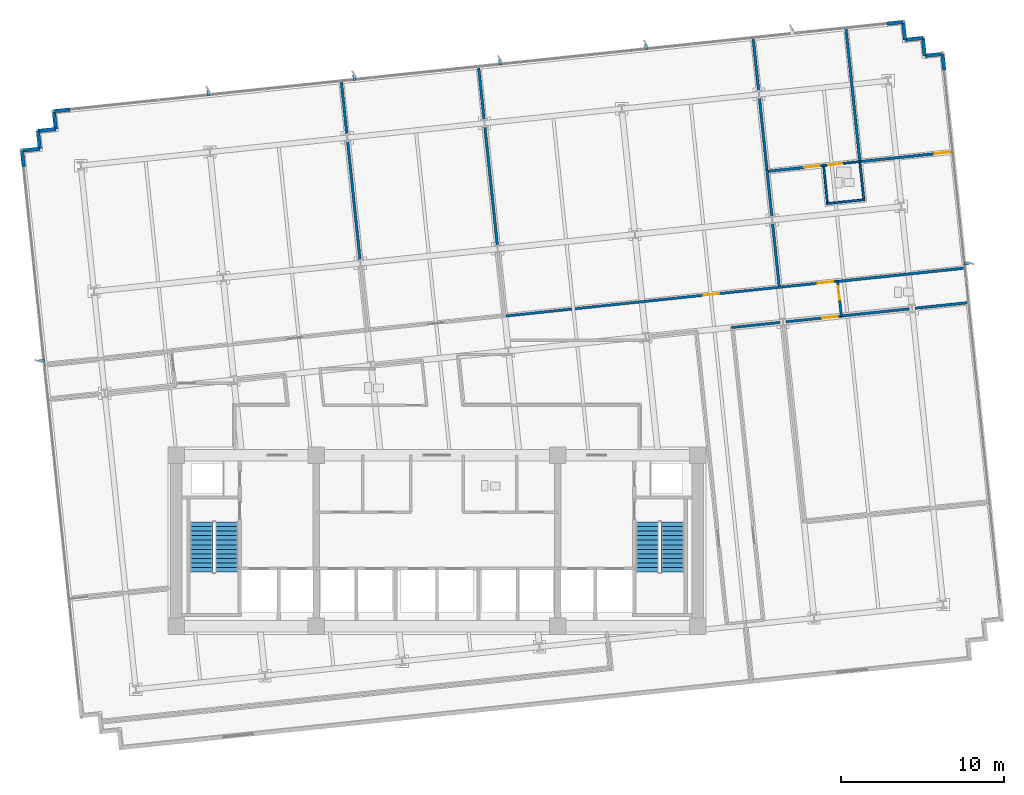
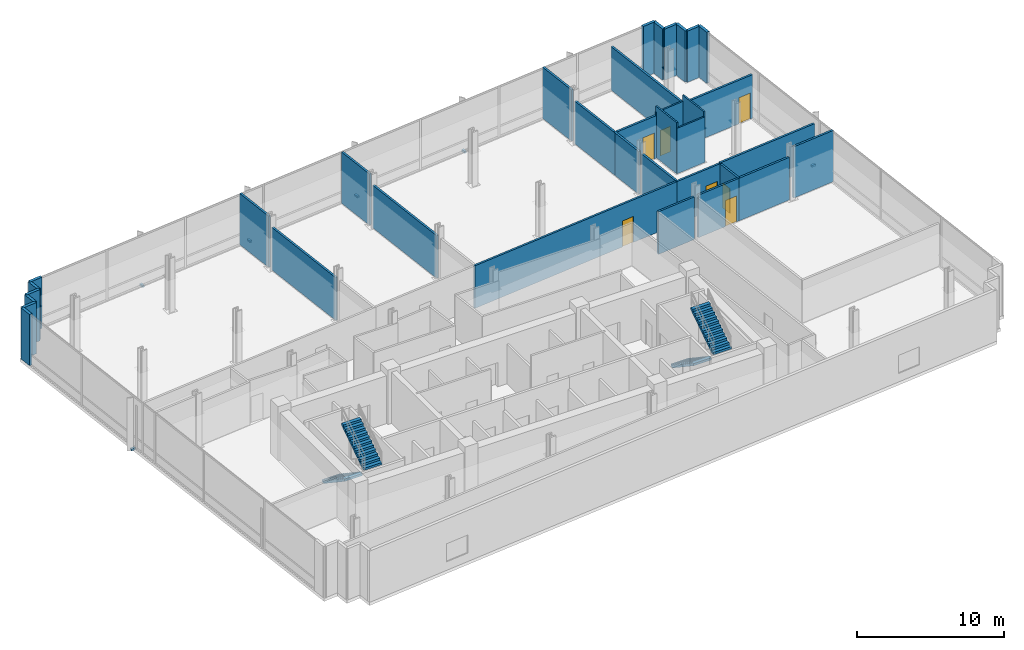
# One storey, part 14 of 20: 35 walls, 7 doors, 6 discrete accessories, 4 stair flights, 7 openings, 2 elements without a shape of their own.
"""IFC4 building model written with IfcOpenShell, lengths in metres."""

from ifc_helpers import new_model, si_unit, direction, frame, frame_2d, origin, origin_2d, place, context, subcontext, project, spatial, polyline, rectangle, outline, extrude, material, layer, layer_set, type_object, element, fill, aggregate, save


model = new_model("IFC4")

# Units and contexts
model_context = context("Model", 3, precision=1e-05, world=origin(), true_north=direction((0.0, 1.0)))
body_context = subcontext(model_context, "Body", "Model", "MODEL_VIEW")
ifc_project = project(units=[si_unit("LENGTHUNIT", "METRE"), si_unit("AREAUNIT", "SQUARE_METRE"), si_unit("VOLUMEUNIT", "CUBIC_METRE"), si_unit("PLANEANGLEUNIT", "RADIAN"), si_unit("MASSUNIT", "GRAM", prefix="KILO")], contexts=[model_context])

# Site, building, storey
site_placement = place(None, origin())
site = spatial("IfcSite", under=ifc_project, at=site_placement, CompositionType="ELEMENT")
building_placement = place(site_placement, origin())
building = spatial("IfcBuilding", under=site, at=building_placement, Name="Solmavex Isthmus Hotel", CompositionType="ELEMENT")
storey_placement = place(building_placement, frame((0.0, 0.0, 97.35009765625)))
storey = spatial("IfcBuildingStorey", under=building, at=storey_placement, Name="L26", CompositionType="ELEMENT", Elevation=97.35009765625)

# Walls
ifc_material_1 = material(Name="Precast Concrete C40/50", Category="concrete")
ifc_layer_1 = layer(ifc_material_1, 0.25)
ifc_layer_set_1 = layer_set([ifc_layer_1], Name="Precast Concrete C40/50")
wall_type_1 = type_object("IfcWallType", Name="EW-TWR-250", PredefinedType="STANDARD", material=ifc_layer_set_1)
wall_1_placement = place(storey_placement, frame((-25.35400390625, 15.1923828125, 0.0), z_axis=(0.0, 0.0, 1.0), x_axis=(-0.104556418955, 0.99451895671, 0.0)))
element("IfcWall", 1, at=wall_1_placement, inside=storey, type_object=wall_type_1, Name="Serrated Corner Facade Panel L26-07", PredefinedType="STANDARD", context=body_context, shape_type="SweptSolid", body=[
    extrude(rectangle(XDim=0.989990234375, YDim=0.219970703125, at=frame_2d((0.4951171875, 0.0))), origin(), (0.0, 0.0, 1.0), 4.239990234375),
])
wall_2_placement = place(storey_placement, frame((-25.45751953125, 16.177001953125, 0.0), z_axis=(0.0, 0.0, 1.0), x_axis=(0.994521251134, 0.104534592565, 0.0)))
element("IfcWall", 2, at=wall_2_placement, inside=storey, type_object=wall_type_1, Name="Serrated Corner Facade Panel L26-08", PredefinedType="STANDARD", context=body_context, shape_type="SweptSolid", body=[
    extrude(rectangle(XDim=1.10009765625, YDim=0.219970703125, at=frame_2d((0.550048828125, 0.0))), origin(), (0.0, 0.0, 1.0), 4.239990234375),
])
wall_3_placement = place(storey_placement, frame((-24.363525390625, 16.2919921875, 0.0), z_axis=(0.0, 0.0, 1.0), x_axis=(-0.104557671117, 0.994518825066, 0.0)))
element("IfcWall", 3, at=wall_3_placement, inside=storey, type_object=wall_type_1, Name="Serrated Corner Facade Panel L26-09", PredefinedType="STANDARD", context=body_context, shape_type="SweptSolid", body=[
    extrude(rectangle(XDim=1.099853515625, YDim=0.219970703125, at=frame_2d((0.5498046875, 0.0))), origin(), (0.0, 0.0, 1.0), 4.239990234375),
])
for number, where, z_axis, x_axis, name in (
    (4, (-24.478515625, 17.3857421875, 0.0), (0.0, 0.0, 1.0), (0.994521251134, 0.104534592565, 0.0), "Serrated Corner Facade Panel L26-10"),
    (5, (-23.384521484375, 17.500732421875, 0.0), (0.0, 0.0, 1.0), (-0.104534592565, 0.994521251134, 0.0), "Serrated Corner Facade Panel L26-11"),
):
    element("IfcWall", number, at=place(storey_placement, frame(where, z_axis=z_axis, x_axis=x_axis)), inside=storey, type_object=wall_type_1, Name=name, PredefinedType="STANDARD", context=body_context, shape_type="SweptSolid", body=[
        extrude(rectangle(XDim=1.10009765625, YDim=0.219970703125, at=frame_2d((0.550048828125, 0.0))), origin(), (0.0, 0.0, 1.0), 4.239990234375),
    ])
wall_4_placement = place(storey_placement, frame((-23.49951171875, 18.5947265625, 0.0), z_axis=(0.0, 0.0, 1.0), x_axis=(0.99451895671, 0.104556418955, 0.0)))
element("IfcWall", 6, at=wall_4_placement, inside=storey, type_object=wall_type_1, Name="Serrated Corner Facade Panel L26-12", PredefinedType="STANDARD", context=body_context, shape_type="SweptSolid", body=[
    extrude(rectangle(XDim=0.989990234375, YDim=0.219970703125, at=frame_2d((0.4951171875, 0.0))), origin(), (0.0, 0.0, 1.0), 4.239990234375),
])
wall_5_placement = place(storey_placement, frame((27.609130859375, 23.966552734375, 0.0), z_axis=(0.0, 0.0, 1.0), x_axis=(0.994516259927, 0.104582067016, 0.0)))
element("IfcWall", 7, at=wall_5_placement, inside=storey, type_object=wall_type_1, Name="Serrated Corner Facade Panel L26-14", PredefinedType="STANDARD", context=body_context, shape_type="SweptSolid", body=[
    extrude(rectangle(XDim=0.98974609375, YDim=0.219970703125, at=frame_2d((0.494873046875, 0.0))), origin(), (0.0, 0.0, 1.0), 4.239990234375),
])
for number, where, z_axis, x_axis, name in (
    (8, (28.593505859375, 24.070068359375, 0.0), (0.0, 0.0, 1.0), (0.104534592565, -0.994521251134, 0.0), "Serrated Corner Facade Panel L26-15"),
    (9, (28.70849609375, 22.97607421875, 0.0), (0.0, 0.0, 1.0), (0.994521251134, 0.104534592565, 0.0), "Serrated Corner Facade Panel L26-16"),
    (10, (29.802490234375, 23.091064453125, 0.0), (0.0, 0.0, 1.0), (0.104534592565, -0.994521251134, 0.0), "Serrated Corner Facade Panel L26-17"),
    (11, (29.91748046875, 21.9970703125, 0.0), (0.0, 0.0, 1.0), (0.994521251134, 0.104534592565, 0.0), "Serrated Corner Facade Panel L26-18"),
):
    element("IfcWall", number, at=place(storey_placement, frame(where, z_axis=z_axis, x_axis=x_axis)), inside=storey, type_object=wall_type_1, Name=name, PredefinedType="STANDARD", context=body_context, shape_type="SweptSolid", body=[
        extrude(rectangle(XDim=1.10009765625, YDim=0.219970703125, at=frame_2d((0.550048828125, 0.0))), origin(), (0.0, 0.0, 1.0), 4.239990234375),
    ])
wall_6_placement = place(storey_placement, frame((31.011474609375, 22.112060546875, 0.0), z_axis=(0.0, 0.0, 1.0), x_axis=(0.104556418955, -0.99451895671, 0.0)))
element("IfcWall", 12, at=wall_6_placement, inside=storey, type_object=wall_type_1, Name="Serrated Corner Facade Panel L26-19", PredefinedType="STANDARD", context=body_context, shape_type="SweptSolid", body=[
    extrude(rectangle(XDim=0.989990234375, YDim=0.219970703125, at=frame_2d((0.4951171875, 0.0))), origin(), (0.0, 0.0, 1.0), 4.239990234375),
])
ifc_material_2 = material(Name="Gypsum plasterboard lining", Category="gypsum")
ifc_layer_2 = layer(ifc_material_2, 0.159912109375)
ifc_layer_set_2 = layer_set([ifc_layer_2], Name="Gypsum plasterboard lining")
wall_type_2 = type_object("IfcWallType", Name="IW-COMP-160", PredefinedType="PARTITIONING", material=ifc_layer_set_2)
wall_7_placement = place(storey_placement, frame((-5.875732421875, 20.477294921875, 0.0), z_axis=(0.0, 0.0, 1.0), x_axis=(0.10455555946, -0.99451904707, 0.0)))
element("IfcWall", 13, at=wall_7_placement, inside=storey, type_object=wall_type_2, Name="Interior Partition Wall W-L26-P029", PredefinedType="PARTITIONING", context=body_context, shape_type="SweptSolid", body=[
    extrude(rectangle(XDim=3.34375, YDim=0.159912109375, at=frame_2d((1.671875, 0.0))), origin(), (0.0, 0.0, 1.0), 4.239990234375),
])
wall_8_placement = place(storey_placement, frame((-5.4892578125, 16.80126953125, 0.0), z_axis=(0.0, 0.0, 1.0), x_axis=(0.104526770886, -0.994522073243, 0.0)))
element("IfcWall", 14, at=wall_8_placement, inside=storey, type_object=wall_type_2, Name="Interior Partition Wall W-L26-P030", PredefinedType="PARTITIONING", context=body_context, shape_type="SweptSolid", body=[
    extrude(rectangle(XDim=7.3994140625, YDim=0.159912109375, at=frame_2d((3.69970703125, 0.0))), origin(), (0.0, 0.0, 1.0), 3.529296875),
])
wall_9_placement = place(storey_placement, frame((2.556396484375, 21.242919921875, 0.0), z_axis=(0.0, 0.0, 1.0), x_axis=(0.104586228345, -0.994515822318, 0.0)))
element("IfcWall", 15, at=wall_9_placement, inside=storey, type_object=wall_type_2, Name="Interior Partition Wall W-L26-P033", PredefinedType="PARTITIONING", context=body_context, shape_type="SweptSolid", body=[
    extrude(rectangle(XDim=3.2236328125, YDim=0.159912109375, at=frame_2d((1.61181640625, 0.0))), origin(), (0.0, 0.0, 1.0), 4.239990234375),
])
wall_10_placement = place(storey_placement, frame((2.93017578125, 17.686279296875, 0.0), z_axis=(0.0, 0.0, 1.0), x_axis=(0.104555973927, -0.994519003497, 0.0)))
element("IfcWall", 16, at=wall_10_placement, inside=storey, type_object=wall_type_2, Name="Interior Partition Wall W-L26-P034", PredefinedType="PARTITIONING", context=body_context, shape_type="SweptSolid", body=[
    extrude(rectangle(XDim=7.399658203125, YDim=0.159912109375, at=frame_2d((3.69970703125, 0.0))), origin(), (0.0, 0.0, 1.0), 3.529296875),
])
wall_11_placement = place(storey_placement, frame((20.2392578125, 14.987060546875, 0.0), z_axis=(0.0, 0.0, 1.0), x_axis=(0.104518588235, -0.994522933226, 0.0)))
element("IfcWall", 17, at=wall_11_placement, inside=storey, type_object=wall_type_2, Name="Interior Partition Wall W-L26-P036", PredefinedType="PARTITIONING", context=body_context, shape_type="SweptSolid", body=[
    extrude(rectangle(XDim=2.90576171875, YDim=0.159912109375, at=frame_2d((1.452880859375, 0.0))), origin(), (0.0, 0.0, 1.0), 3.529296875),
])
wall_12_placement = place(storey_placement, frame((20.579833984375, 11.74658203125, 0.0), z_axis=(0.0, 0.0, 1.0), x_axis=(0.104551732594, -0.994519449388, 0.0)))
element("IfcWall", 18, at=wall_12_placement, inside=storey, type_object=wall_type_2, Name="Interior Partition Wall W-L26-P037", PredefinedType="PARTITIONING", context=body_context, shape_type="SweptSolid", body=[
    extrude(rectangle(XDim=4.01171875, YDim=0.159912109375, at=frame_2d((2.005859375, 0.0))), origin(), (0.0, 0.0, 1.0), 3.529296875),
])
wall_13_placement = place(storey_placement, frame((19.383056640625, 23.132080078125, 0.0), z_axis=(0.0, 0.0, 1.0), x_axis=(0.10455555946, -0.99451904707, 0.0)))
element("IfcWall", 19, at=wall_13_placement, inside=storey, type_object=wall_type_2, Name="Interior Partition Wall W-L26-P038", PredefinedType="PARTITIONING", context=body_context, shape_type="SweptSolid", body=[
    extrude(rectangle(XDim=3.34375, YDim=0.159912109375, at=frame_2d((1.671875, 0.0))), origin(), (0.0, 0.0, 1.0), 4.239990234375),
])
wall_14_placement = place(storey_placement, frame((19.76953125, 19.456298828125, 0.0), z_axis=(0.0, 0.0, 1.0), x_axis=(0.1045156188, -0.994523245292, 0.0)))
element("IfcWall", 20, at=wall_14_placement, inside=storey, type_object=wall_type_2, Name="Interior Partition Wall W-L26-P039", PredefinedType="PARTITIONING", context=body_context, shape_type="SweptSolid", body=[
    extrude(rectangle(XDim=4.65771484375, YDim=0.159912109375, at=frame_2d((2.328857421875, 0.0))), origin(), (0.0, 0.0, 1.0), 3.529296875),
])

# Wall, opening, door
wall_15_placement = place(storey_placement, frame((20.2080078125, 14.9013671875, 0.0), z_axis=(0.0, 0.0, 1.0), x_axis=(0.994528326067, 0.104467261141, 0.0)))
wall_15 = element("IfcWall", 21, at=wall_15_placement, inside=storey, type_object=wall_type_2, Name="Interior Partition Wall W-L26-P040", PredefinedType="PARTITIONING", context=body_context, shape_type="SweptSolid", body=[
    extrude(rectangle(XDim=3.56396484375, YDim=0.159912109375, at=frame_2d((1.781982421875, 0.0))), origin(), (0.0, 0.0, 1.0), 3.529296875),
])
opening_1_placement = place(wall_15_placement, frame((2.331298828125, 0.0, 0.0)))
opening_1 = element("IfcOpeningElement", 22, at=opening_1_placement, cuts=wall_15, Name="Opening ID-C095", PredefinedType="OPENING", context=body_context, shape_type="SweptSolid", body=[
    extrude(rectangle(XDim=0.949951171875, YDim=2.14990234375, at=frame_2d((0.47509765625, 1.074951171875))), frame((0.0, 0.08984375, 0.0), z_axis=(0.0, -1.0, 0.0), x_axis=(1.0, 0.0, 0.0)), (0.0, 0.0, 1.0), 0.179931640625),
])
ifc_material_3 = material(Name="Hardwood timber", Category="wood")
door_type_1 = type_object("IfcDoorType", Name="IDR-FD60-0950", OperationType="NOTDEFINED", PredefinedType="DOOR", material=ifc_material_3)
door_1_placement = place(opening_1_placement, origin())
door_1 = element("IfcDoor", 23, at=door_1_placement, inside=storey, type_object=door_type_1, Name="Ambassador Panorama Suite Master Bedroom Door L26-05", OperationType="SINGLE_SWING_LEFT", OverallHeight=2.14990234375, OverallWidth=0.949951171875, PredefinedType="DOOR", context=body_context, shape_type="SweptSolid", body=[
    extrude(rectangle(XDim=0.949951171875, YDim=2.14990234375, at=frame_2d((0.47509765625, 1.074951171875))), frame((0.0, 0.02490234375, 0.0), z_axis=(0.0, -1.0, 0.0), x_axis=(1.0, 0.0, 0.0)), (0.0, 0.0, 1.0), 0.050048828125),
])
fill(opening_1, door_1)

wall_16_placement = place(storey_placement, frame((25.890869140625, 15.49853515625, 0.0), z_axis=(0.0, 0.0, 1.0), x_axis=(0.994522696848, 0.104520837413, 0.0)))
wall_16 = element("IfcWall", 24, at=wall_16_placement, inside=storey, type_object=wall_type_2, Name="Interior Partition Wall W-L26-P041", PredefinedType="PARTITIONING", context=body_context, shape_type="SweptSolid", body=[
    extrude(rectangle(XDim=5.813720703125, YDim=0.159912109375, at=frame_2d((2.90673828125, 0.0))), origin(), (0.0, 0.0, 1.0), 3.60302734375),
])
opening_2_placement = place(wall_16_placement, frame((4.654052734375, 0.0, 0.0)))
opening_2 = element("IfcOpeningElement", 25, at=opening_2_placement, cuts=wall_16, Name="Opening ID-C095", PredefinedType="OPENING", context=body_context, shape_type="SweptSolid", body=[
    extrude(rectangle(XDim=0.949951171875, YDim=2.14990234375, at=frame_2d((0.47509765625, 1.074951171875))), frame((0.0, 0.08984375, 0.0), z_axis=(0.0, -1.0, 0.0), x_axis=(1.0, 0.0, 0.0)), (0.0, 0.0, 1.0), 0.179931640625),
])
door_2_placement = place(opening_2_placement, origin())
door_2 = element("IfcDoor", 26, at=door_2_placement, inside=storey, type_object=door_type_1, Name="Ambassador Panorama Suite Panorama Sitting Study Door L26-06", OperationType="SINGLE_SWING_RIGHT", OverallHeight=2.14990234375, OverallWidth=0.949951171875, PredefinedType="DOOR", context=body_context, shape_type="SweptSolid", body=[
    extrude(rectangle(XDim=0.949951171875, YDim=2.14990234375, at=frame_2d((0.47509765625, 1.074951171875))), frame((0.0, 0.02490234375, 0.0), z_axis=(0.0, -1.0, 0.0), x_axis=(1.0, 0.0, 0.0)), (0.0, 0.0, 1.0), 0.050048828125),
])
fill(opening_2, door_2)

# Walls
wall_17_placement = place(storey_placement, frame((32.422119140625, 8.9775390625, 0.0), z_axis=(0.0, 0.0, 1.0), x_axis=(-0.994522987852, -0.104518068455, 0.0)))
element("IfcWall", 27, at=wall_17_placement, inside=storey, type_object=wall_type_2, Name="Interior Partition Wall W-L26-P045", PredefinedType="PARTITIONING", context=body_context, shape_type="SweptSolid", body=[
    extrude(rectangle(XDim=7.927978515625, YDim=0.159912109375, at=frame_2d((3.9638671875, 0.0))), origin(), (0.0, 0.0, 1.0), 3.60302734375),
])
wall_18_placement = place(storey_placement, frame((25.075927734375, 23.73046875, 0.0), z_axis=(0.0, 0.0, 1.0), x_axis=(0.104504368376, -0.994524427548, 0.0)))
element("IfcWall", 28, at=wall_18_placement, inside=storey, type_object=wall_type_2, Name="Interior Partition Wall W-L26-P046", PredefinedType="PARTITIONING", context=body_context, shape_type="SweptSolid", body=[
    extrude(rectangle(XDim=8.31201171875, YDim=0.159912109375, at=frame_2d((4.156005859375, 0.0))), origin(), (0.0, 0.0, 1.0), 3.60302734375),
])
wall_19_placement = place(storey_placement, frame((28.96875, 6.472900390625, 0.0), z_axis=(0.0, 0.0, 1.0), x_axis=(-0.994520616656, -0.104540628691, 0.0)))
element("IfcWall", 29, at=wall_19_placement, inside=storey, type_object=wall_type_2, Name="Interior Partition Wall W-L26-P048", PredefinedType="PARTITIONING", context=body_context, shape_type="SweptSolid", body=[
    extrude(rectangle(XDim=4.231689453125, YDim=0.159912109375, at=frame_2d((2.11572265625, 0.0))), origin(), (0.0, 0.0, 1.0), 3.529296875),
])
wall_20_placement = place(storey_placement, frame((32.644775390625, 6.859130859375, 0.0), z_axis=(0.0, 0.0, 1.0), x_axis=(-0.994526636649, -0.10448334315, 0.0)))
element("IfcWall", 30, at=wall_20_placement, inside=storey, type_object=wall_type_2, Name="Interior Partition Wall W-L26-P049", PredefinedType="PARTITIONING", context=body_context, shape_type="SweptSolid", body=[
    extrude(rectangle(XDim=3.34375, YDim=0.159912109375, at=frame_2d((1.671875, 0.0))), origin(), (0.0, 0.0, 1.0), 4.239990234375),
])

# Wall, opening, door
ifc_layer_3 = layer(ifc_material_2, 0.14990234375)
ifc_layer_set_3 = layer_set([ifc_layer_3], Name="Gypsum plasterboard lining")
wall_type_3 = type_object("IfcWallType", Name="IW-CORR-150", PredefinedType="PARTITIONING", material=ifc_layer_set_3)
wall_21_placement = place(storey_placement, frame((4.07421875, 6.01806640625, 0.0), z_axis=(0.0, 0.0, 1.0), x_axis=(0.994521404201, 0.104533136308, 0.0)))
wall_21 = element("IfcWall", 31, at=wall_21_placement, inside=storey, type_object=wall_type_3, Name="Interior Partition Wall W-L26-P003", PredefinedType="PARTITIONING", context=body_context, shape_type="SweptSolid", body=[
    extrude(rectangle(XDim=17.09619140625, YDim=0.14990234375, at=frame_2d((8.548095703125, 0.0))), origin(), (0.0, 0.0, 1.0), 3.529296875),
])
opening_3_placement = place(wall_21_placement, frame((12.361083984375, 0.0, 0.0)))
opening_3 = element("IfcOpeningElement", 32, at=opening_3_placement, cuts=wall_21, Name="Opening ID-C095", PredefinedType="OPENING", context=body_context, shape_type="SweptSolid", body=[
    extrude(rectangle(XDim=0.949951171875, YDim=2.14990234375, at=frame_2d((0.47509765625, 1.074951171875))), frame((0.0, 0.0849609375, 0.0), z_axis=(0.0, -1.0, 0.0), x_axis=(1.0, 0.0, 0.0)), (0.0, 0.0, 1.0), 0.169921875),
])
door_3_placement = place(opening_3_placement, origin())
door_3 = element("IfcDoor", 33, at=door_3_placement, inside=storey, type_object=door_type_1, Name="Corporate Briefing Office Door L26-03", OperationType="SINGLE_SWING_LEFT", OverallHeight=2.14990234375, OverallWidth=0.949951171875, PredefinedType="DOOR", context=body_context, shape_type="SweptSolid", body=[
    extrude(rectangle(XDim=0.949951171875, YDim=2.14990234375, at=frame_2d((0.47509765625, 1.074951171875))), frame((0.0, 0.02490234375, 0.0), z_axis=(0.0, -1.0, 0.0), x_axis=(1.0, 0.0, 0.0)), (0.0, 0.0, 1.0), 0.050048828125),
])
fill(opening_3, door_3)

wall_22_placement = place(storey_placement, frame((20.913330078125, 7.7880859375, 0.0), z_axis=(0.0, 0.0, 1.0), x_axis=(0.994525920558, 0.104490159046, 0.0)))
wall_22 = element("IfcWall", 34, at=wall_22_placement, inside=storey, type_object=wall_type_3, Name="Interior Partition Wall W-L26-P004", PredefinedType="PARTITIONING", context=body_context, shape_type="SweptSolid", body=[
    extrude(rectangle(XDim=3.721923828125, YDim=0.14990234375, at=frame_2d((1.86083984375, 0.0))), origin(), (0.0, 0.0, 1.0), 3.529296875),
])
opening_4_placement = place(wall_22_placement, frame((2.456787109375, 0.0, 0.0)))
opening_4 = element("IfcOpeningElement", 35, at=opening_4_placement, cuts=wall_22, Name="Opening ID-C095", PredefinedType="OPENING", context=body_context, shape_type="SweptSolid", body=[
    extrude(rectangle(XDim=0.949951171875, YDim=2.14990234375, at=frame_2d((0.47509765625, 1.074951171875))), frame((0.0, 0.0849609375, 0.0), z_axis=(0.0, -1.0, 0.0), x_axis=(1.0, 0.0, 0.0)), (0.0, 0.0, 1.0), 0.169921875),
])
door_4_placement = place(opening_4_placement, origin())
door_4 = element("IfcDoor", 36, at=door_4_placement, inside=storey, type_object=door_type_1, Name="Ambassador Panorama Suite Living Salon Door L26-04", OperationType="SINGLE_SWING_RIGHT", OverallHeight=2.14990234375, OverallWidth=0.949951171875, PredefinedType="DOOR", context=body_context, shape_type="SweptSolid", body=[
    extrude(rectangle(XDim=0.949951171875, YDim=2.14990234375, at=frame_2d((0.47509765625, 1.074951171875))), frame((0.0, 0.02490234375, 0.0), z_axis=(0.0, -1.0, 0.0), x_axis=(1.0, 0.0, 0.0)), (0.0, 0.0, 1.0), 0.050048828125),
])
fill(opening_4, door_4)

wall_23_placement = place(storey_placement, frame((24.5732421875, 8.19287109375, 0.0), z_axis=(0.0, 0.0, 1.0), x_axis=(0.104500773718, -0.994524805267, 0.0)))
wall_23 = element("IfcWall", 37, at=wall_23_placement, inside=storey, type_object=wall_type_3, Name="Interior Partition Wall W-L26-P010", PredefinedType="PARTITIONING", context=body_context, shape_type="SweptSolid", body=[
    extrude(rectangle(XDim=2.210205078125, YDim=0.14990234375, at=frame_2d((1.10498046875, 0.0))), origin(), (0.0, 0.0, 1.0), 3.529296875),
])
opening_5_placement = place(wall_23_placement, frame((0.322265625, 0.0, 0.0)))
opening_5 = element("IfcOpeningElement", 38, at=opening_5_placement, cuts=wall_23, Name="Opening ID-R085", PredefinedType="OPENING", context=body_context, shape_type="SweptSolid", body=[
    extrude(rectangle(XDim=0.85009765625, YDim=2.050048828125, at=frame_2d((0.425048828125, 1.02490234375))), frame((0.0, 0.0849609375, 0.0), z_axis=(0.0, -1.0, 0.0), x_axis=(1.0, 0.0, 0.0)), (0.0, 0.0, 1.0), 0.169921875),
])
ifc_material_4 = material(Name="Steel ASTM A500 Grade C", Category="steel")
door_type_2 = type_object("IfcDoorType", Name="IDR-FD60-0850", OperationType="NOTDEFINED", PredefinedType="DOOR", material=ifc_material_4)
door_5_placement = place(opening_5_placement, origin())
door_5 = element("IfcDoor", 39, at=door_5_placement, inside=storey, type_object=door_type_2, Name="Public Restroom WC Door L26-09", OperationType="SINGLE_SWING_LEFT", OverallHeight=2.050048828125, OverallWidth=0.85009765625, PredefinedType="DOOR", context=body_context, shape_type="SweptSolid", body=[
    extrude(rectangle(XDim=0.85009765625, YDim=2.050048828125, at=frame_2d((0.425048828125, 1.02490234375))), frame((0.0, 0.02490234375, 0.0), z_axis=(0.0, -1.0, 0.0), x_axis=(1.0, 0.0, 0.0)), (0.0, 0.0, 1.0), 0.050048828125),
])
fill(opening_5, door_5)

wall_24_placement = place(storey_placement, frame((24.83984375, 6.038818359375, 0.0), z_axis=(0.0, 0.0, 1.0), x_axis=(-0.994522047476, -0.104527016046, 0.0)))
wall_24 = element("IfcWall", 40, at=wall_24_placement, inside=storey, type_object=wall_type_3, Name="Interior Partition Wall W-L26-P017", PredefinedType="PARTITIONING", context=body_context, shape_type="SweptSolid", body=[
    extrude(rectangle(XDim=3.4638671875, YDim=0.14990234375, at=frame_2d((1.73193359375, 0.0))), origin(), (0.0, 0.0, 1.0), 3.529296875),
])
opening_6_placement = place(wall_24_placement, frame((0.26220703125, 0.0, 0.0)))
opening_6 = element("IfcOpeningElement", 41, at=opening_6_placement, cuts=wall_24, Name="Opening ID-C095", PredefinedType="OPENING", context=body_context, shape_type="SweptSolid", body=[
    extrude(rectangle(XDim=0.949951171875, YDim=2.14990234375, at=frame_2d((0.47509765625, 1.074951171875))), frame((0.0, 0.0849609375, 0.0), z_axis=(0.0, -1.0, 0.0), x_axis=(1.0, 0.0, 0.0)), (0.0, 0.0, 1.0), 0.169921875),
])
door_6_placement = place(opening_6_placement, frame((0.949951171875, 0.0, 0.0), z_axis=(0.0, 0.0, 1.0), x_axis=(-1.0, 0.0, 0.0)))
door_6 = element("IfcDoor", 42, at=door_6_placement, inside=storey, type_object=door_type_1, Name="Servery Kitchen Door L26-12", OperationType="SINGLE_SWING_RIGHT", OverallHeight=2.14990234375, OverallWidth=0.949951171875, PredefinedType="DOOR", context=body_context, shape_type="SweptSolid", body=[
    extrude(rectangle(XDim=0.949951171875, YDim=2.14990234375, at=frame_2d((0.47509765625, 1.074951171875))), frame((0.0, 0.02490234375, 0.0), z_axis=(0.0, -1.0, 0.0), x_axis=(1.0, 0.0, 0.0)), (0.0, 0.0, 1.0), 0.050048828125),
])
fill(opening_6, door_6)

# Walls
wall_25_placement = place(storey_placement, frame((21.04443359375, 5.639892578125, 0.0), z_axis=(0.0, 0.0, 1.0), x_axis=(-0.994527160177, -0.104478359817, 0.0)))
element("IfcWall", 43, at=wall_25_placement, inside=storey, type_object=wall_type_3, Name="Interior Partition Wall W-L26-P026", PredefinedType="PARTITIONING", context=body_context, shape_type="SweptSolid", body=[
    extrude(rectangle(XDim=3.016845703125, YDim=0.14990234375, at=frame_2d((1.50830078125, 0.0))), origin(), (0.0, 0.0, 1.0), 3.529296875),
])
ifc_layer_4 = layer(ifc_material_2, 0.1201171875)
ifc_layer_set_4 = layer_set([ifc_layer_4], Name="Gypsum plasterboard lining")
wall_type_4 = type_object("IfcWallType", Name="IW-PART-120", PredefinedType="PARTITIONING", material=ifc_layer_set_4)
wall_26_placement = place(storey_placement, frame((23.708740234375, 15.309326171875, 0.0), z_axis=(0.0, 0.0, 1.0), x_axis=(0.100269653479, -0.994960299003, 0.0)))
element("IfcWall", 44, at=wall_26_placement, inside=storey, type_object=wall_type_4, Name="Interior Partition Wall W-L26-P042", PredefinedType="PARTITIONING", context=body_context, shape_type="SweptSolid", body=[
    extrude(rectangle(XDim=2.429931640625, YDim=0.1201171875, at=frame_2d((1.21484375, 0.0))), origin(), (0.0, 0.0, 1.0), 4.239990234375),
])
wall_27_placement = place(storey_placement, frame((23.90869140625, 12.92724609375, 0.0), z_axis=(0.0, 0.0, 1.0), x_axis=(0.994516930255, 0.104575692382, 0.0)))
element("IfcWall", 45, at=wall_27_placement, inside=storey, type_object=wall_type_4, Name="Interior Partition Wall W-L26-P043", PredefinedType="PARTITIONING", context=body_context, shape_type="SweptSolid", body=[
    extrude(rectangle(XDim=2.329833984375, YDim=0.1201171875, at=frame_2d((1.1650390625, 0.0))), origin(), (0.0, 0.0, 1.0), 3.76806640625),
])
wall_28_placement = place(storey_placement, frame((26.1904296875, 13.126953125, 0.0), z_axis=(0.0, 0.0, 1.0), x_axis=(-0.108711078051, 0.994073388392, 0.0)))
element("IfcWall", 46, at=wall_28_placement, inside=storey, type_object=wall_type_4, Name="Interior Partition Wall W-L26-P044", PredefinedType="PARTITIONING", context=body_context, shape_type="SweptSolid", body=[
    extrude(rectangle(XDim=2.429931640625, YDim=0.1201171875, at=frame_2d((1.21484375, 0.0))), origin(), (0.0, 0.0, 1.0), 4.239990234375),
])

# Wall, opening, door
wall_29_placement = place(storey_placement, frame((25.980224609375, 15.508056640625, 0.0), z_axis=(0.0, 0.0, 1.0), x_axis=(-0.994516727228, -0.104577623149, 0.0)))
wall_29 = element("IfcWall", 47, at=wall_29_placement, inside=storey, type_object=wall_type_4, Name="Interior Partition Wall W-L26-P047", PredefinedType="PARTITIONING", context=body_context, shape_type="SweptSolid", body=[
    extrude(rectangle(XDim=2.371826171875, YDim=0.1201171875, at=frame_2d((1.18603515625, 0.0))), origin(), (0.0, 0.0, 1.0), 3.76806640625),
])
opening_7_placement = place(wall_29_placement, frame((1.14599609375, 0.0, 0.0)))
opening_7 = element("IfcOpeningElement", 48, at=opening_7_placement, cuts=wall_29, Name="Opening ID-U085", PredefinedType="OPENING", context=body_context, shape_type="SweptSolid", body=[
    extrude(rectangle(XDim=0.85009765625, YDim=2.10009765625, at=frame_2d((0.425048828125, 1.050048828125))), frame((0.0, 0.070068359375, 0.0), z_axis=(0.0, -1.0, 0.0), x_axis=(1.0, 0.0, 0.0)), (0.0, 0.0, 1.0), 0.14013671875),
])
door_type_3 = type_object("IfcDoorType", Name="IDR-UNR-0850", OperationType="NOTDEFINED", PredefinedType="DOOR", material=ifc_material_3)
door_7_placement = place(opening_7_placement, frame((0.85009765625, 0.0, 0.0), z_axis=(0.0, 0.0, 1.0), x_axis=(-1.0, 0.0, 0.0)))
door_7 = element("IfcDoor", 49, at=door_7_placement, inside=storey, type_object=door_type_3, Name="En-suite Bathroom Door L26-07", OperationType="SINGLE_SWING_LEFT", OverallHeight=2.10009765625, OverallWidth=0.85009765625, PredefinedType="DOOR", context=body_context, shape_type="SweptSolid", body=[
    extrude(rectangle(XDim=0.85009765625, YDim=2.10009765625, at=frame_2d((0.425048828125, 1.050048828125))), frame((0.0, 0.02490234375, 0.0), z_axis=(0.0, -1.0, 0.0), x_axis=(1.0, 0.0, 0.0)), (0.0, 0.0, 1.0), 0.050048828125),
])
fill(opening_7, door_7)

# Stair, stair flights
ifc_material_5 = material(Name="Concrete C40/50", Category="concrete")
stair_type_1 = type_object("IfcStairType", Name="STR-ST-1", PredefinedType="HALF_TURN_STAIR", material=ifc_material_5)
stair_1_placement = place(storey_placement, origin())
stair_1 = element("IfcStair", 50, at=stair_1_placement, inside=storey, type_object=stair_type_1, Name="L26 Protected Exit Stair ST-1", PredefinedType="HALF_TURN_STAIR")
stair_flight_type_1 = type_object("IfcStairFlightType", Name="SFL-ST-1", PredefinedType="STRAIGHT", material=ifc_material_5)
stair_flight_1_placement = place(storey_placement, frame((-14.449951171875, -6.60009765625, 0.0), z_axis=(0.0, 0.0, 1.0), x_axis=(0.0, -1.0, 0.0)))
stair_flight_1 = element("IfcStairFlight", 51, at=stair_flight_1_placement, type_object=stair_flight_type_1, Name="ST-1 flight 1", NumberOfRisers=12, NumberOfTreads=11, PredefinedType="STRAIGHT", RiserHeight=0.1875, TreadLength=0.28, context=body_context, shape_type="SweptSolid", body=[
    extrude(outline(polyline([(0.0, 0.0), (0.0, 0.1875), (0.280029296875, 0.1875), (0.280029296875, 0.375), (0.56005859375, 0.375), (0.56005859375, 0.5625), (0.840087890625, 0.5625), (0.840087890625, 0.75), (1.1201171875, 0.75), (1.1201171875, 0.9375), (1.39990234375, 0.9375), (1.39990234375, 1.125), (1.679931640625, 1.125), (1.679931640625, 1.3125), (1.9599609375, 1.3125), (1.9599609375, 1.5), (2.239990234375, 1.5), (2.239990234375, 1.6875), (2.52001953125, 1.6875), (2.52001953125, 1.875), (2.800048828125, 1.875), (2.800048828125, 2.0625), (3.080078125, 2.0625), (3.080078125, 2.25), (3.080078125, 1.882080078125), (0.26953125, 0.0), (0.0, 0.0)])), frame((0.0, 0.699951171875, 0.0), z_axis=(0.0, -1.0, 0.0), x_axis=(1.0, 0.0, 0.0)), (0.0, 0.0, 1.0), 1.39990234375),
])
stair_flight_2_placement = place(storey_placement, frame((-12.89990234375, -9.679931640625, 2.25), z_axis=(0.0, 0.0, 1.0), x_axis=(0.0, 1.0, 0.0)))
stair_flight_2 = element("IfcStairFlight", 52, at=stair_flight_2_placement, type_object=stair_flight_type_1, Name="ST-1 flight 2", NumberOfRisers=12, NumberOfTreads=11, PredefinedType="STRAIGHT", RiserHeight=0.1875, TreadLength=0.28, context=body_context, shape_type="SweptSolid", body=[
    extrude(outline(polyline([(0.0, 0.0), (0.0, 0.1875), (0.280029296875, 0.1875), (0.280029296875, 0.375), (0.56005859375, 0.375), (0.56005859375, 0.5625), (0.840087890625, 0.5625), (0.840087890625, 0.75), (1.1201171875, 0.75), (1.1201171875, 0.9375), (1.39990234375, 0.9375), (1.39990234375, 1.125), (1.679931640625, 1.125), (1.679931640625, 1.3125), (1.9599609375, 1.3125), (1.9599609375, 1.5), (2.239990234375, 1.5), (2.239990234375, 1.6875), (2.52001953125, 1.6875), (2.52001953125, 1.875), (2.800048828125, 1.875), (2.800048828125, 2.0625), (3.080078125, 2.0625), (3.080078125, 2.25), (3.080078125, 1.882080078125), (0.26953125, 0.0), (0.0, 0.0)])), frame((0.0, 0.699951171875, 0.0), z_axis=(0.0, -1.0, 0.0), x_axis=(1.0, 0.0, 0.0)), (0.0, 0.0, 1.0), 1.39990234375),
])
aggregate(stair_1, [stair_flight_1, stair_flight_2])

stair_type_2 = type_object("IfcStairType", Name="STR-ST-2", PredefinedType="HALF_TURN_STAIR", material=ifc_material_5)
stair_2_placement = place(storey_placement, origin())
stair_2 = element("IfcStair", 53, at=stair_2_placement, inside=storey, type_object=stair_type_2, Name="L26 Protected Exit Stair ST-2", PredefinedType="HALF_TURN_STAIR")
stair_flight_type_2 = type_object("IfcStairFlightType", Name="SFL-ST-2", PredefinedType="STRAIGHT", material=ifc_material_5)
stair_flight_3_placement = place(storey_placement, frame((12.89990234375, -6.60009765625, 0.0), z_axis=(0.0, 0.0, 1.0), x_axis=(0.0, -1.0, 0.0)))
stair_flight_3 = element("IfcStairFlight", 54, at=stair_flight_3_placement, type_object=stair_flight_type_2, Name="ST-2 flight 1", NumberOfRisers=12, NumberOfTreads=11, PredefinedType="STRAIGHT", RiserHeight=0.1875, TreadLength=0.28, context=body_context, shape_type="SweptSolid", body=[
    extrude(outline(polyline([(0.0, 0.0), (0.0, 0.1875), (0.280029296875, 0.1875), (0.280029296875, 0.375), (0.56005859375, 0.375), (0.56005859375, 0.5625), (0.840087890625, 0.5625), (0.840087890625, 0.75), (1.1201171875, 0.75), (1.1201171875, 0.9375), (1.39990234375, 0.9375), (1.39990234375, 1.125), (1.679931640625, 1.125), (1.679931640625, 1.3125), (1.9599609375, 1.3125), (1.9599609375, 1.5), (2.239990234375, 1.5), (2.239990234375, 1.6875), (2.52001953125, 1.6875), (2.52001953125, 1.875), (2.800048828125, 1.875), (2.800048828125, 2.0625), (3.080078125, 2.0625), (3.080078125, 2.25), (3.080078125, 1.882080078125), (0.26953125, 0.0), (0.0, 0.0)])), frame((0.0, 0.699951171875, 0.0), z_axis=(0.0, -1.0, 0.0), x_axis=(1.0, 0.0, 0.0)), (0.0, 0.0, 1.0), 1.39990234375),
])
stair_flight_4_placement = place(storey_placement, frame((14.449951171875, -9.679931640625, 2.25), z_axis=(0.0, 0.0, 1.0), x_axis=(0.0, 1.0, 0.0)))
stair_flight_4 = element("IfcStairFlight", 55, at=stair_flight_4_placement, type_object=stair_flight_type_2, Name="ST-2 flight 2", NumberOfRisers=12, NumberOfTreads=11, PredefinedType="STRAIGHT", RiserHeight=0.1875, TreadLength=0.28, context=body_context, shape_type="SweptSolid", body=[
    extrude(outline(polyline([(0.0, 0.0), (0.0, 0.1875), (0.280029296875, 0.1875), (0.280029296875, 0.375), (0.56005859375, 0.375), (0.56005859375, 0.5625), (0.840087890625, 0.5625), (0.840087890625, 0.75), (1.1201171875, 0.75), (1.1201171875, 0.9375), (1.39990234375, 0.9375), (1.39990234375, 1.125), (1.679931640625, 1.125), (1.679931640625, 1.3125), (1.9599609375, 1.3125), (1.9599609375, 1.5), (2.239990234375, 1.5), (2.239990234375, 1.6875), (2.52001953125, 1.6875), (2.52001953125, 1.875), (2.800048828125, 1.875), (2.800048828125, 2.0625), (3.080078125, 2.0625), (3.080078125, 2.25), (3.080078125, 1.882080078125), (0.26953125, 0.0), (0.0, 0.0)])), frame((0.0, 0.699951171875, 0.0), z_axis=(0.0, -1.0, 0.0), x_axis=(1.0, 0.0, 0.0)), (0.0, 0.0, 1.0), 1.39990234375),
])
aggregate(stair_2, [stair_flight_3, stair_flight_4])

# Discrete accessories
ifc_material_6 = material(Name="Steel ASTM A572 Grade 50", Category="steel")
discrete_accessory_type = type_object("IfcDiscreteAccessoryType", Name="ACC-BRK-FIN", PredefinedType="BRACKET", material=ifc_material_6)
for number, where, z_axis, x_axis, name in (
    (56, (-14.025390625, 19.72119140625, -0.169921875), (0.0, 0.0, 1.0), (-0.104528463268, 0.994521895368, 0.0), "Facade Fin Support Bracket L26-N1"),
    (57, (-5.07470703125, 20.662109375, -0.169921875), (0.0, 0.0, 1.0), (-0.104528463268, 0.994521895368, 0.0), "Facade Fin Support Bracket L26-N2"),
    (58, (3.8759765625, 21.602783203125, -0.169921875), (0.0, 0.0, 1.0), (-0.104528463268, 0.994521895368, 0.0), "Facade Fin Support Bracket L26-N3"),
    (59, (12.82666015625, 22.54345703125, -0.169921875), (0.0, 0.0, 1.0), (-0.104528463268, 0.994521895368, 0.0), "Facade Fin Support Bracket L26-N4"),
    (60, (-24.234130859375, 3.294189453125, -0.169921875), (0.0, 0.0, 1.0), (-0.994521895368, -0.104528463268, 0.0), "Facade Fin Support Bracket L26-W1"),
    (61, (32.493408203125, 9.256591796875, -0.169921875), (0.0, 0.0, 1.0), (0.994521895368, 0.104528463268, 0.0), "Facade Fin Support Bracket L26-E1"),
):
    element("IfcDiscreteAccessory", number, at=place(storey_placement, frame(where, z_axis=z_axis, x_axis=x_axis)), inside=storey, type_object=discrete_accessory_type, Name=name, PredefinedType="BRACKET", context=body_context, shape_type="SweptSolid", body=[
        extrude(rectangle(XDim=0.340087890625, YDim=0.179931640625, at=origin_2d()), origin(), (0.0, 0.0, 1.0), 0.159912109375),
    ])

save(model, "model.ifc")
